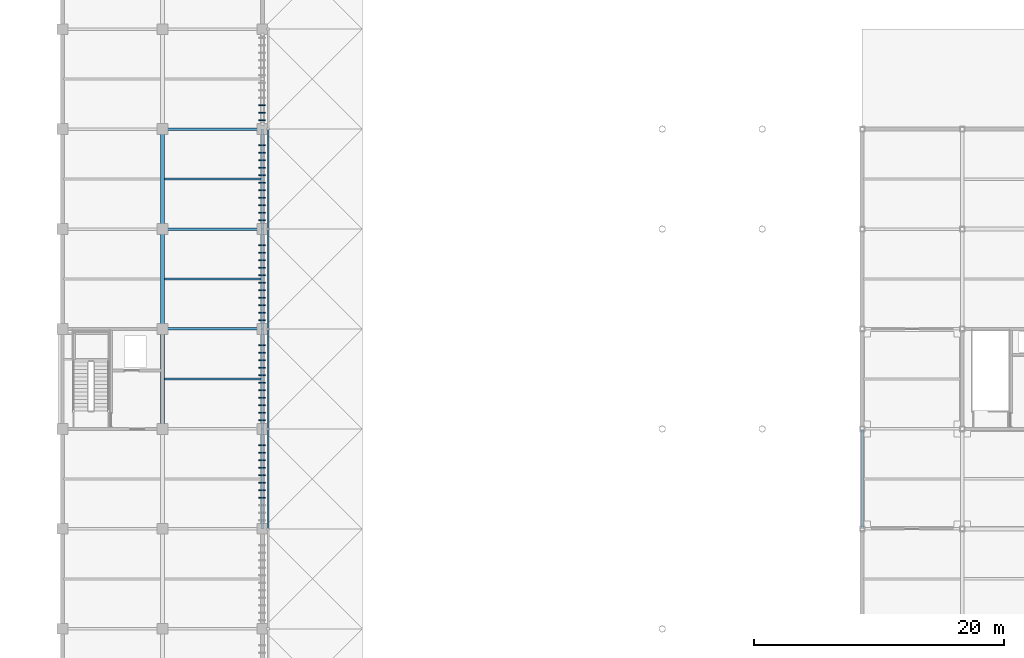
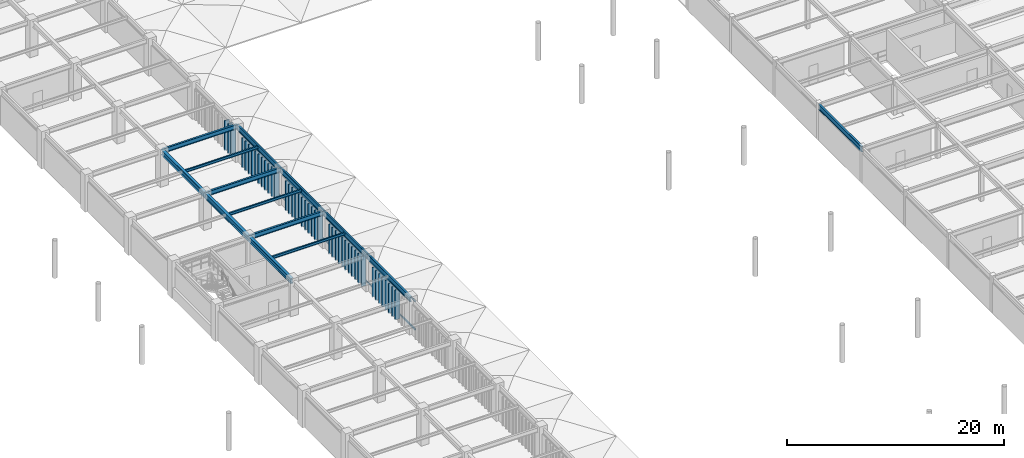
# One storey, part 34 of 78: 52 members, 14 beams.
"""IFC4 building model written with IfcOpenShell, lengths in metres."""

from ifc_helpers import new_model, si_unit, direction, frame, origin, origin_2d, place, context, subcontext, project, spatial, rectangle, hollow_rectangle, i_section, extrude, material, material_profile, profile_set, type_object, element, save


model = new_model("IFC4")

# Units and contexts
model_context = context("Model", 3, precision=1e-05, world=origin(), true_north=direction((0.0, 1.0)))
body_context = subcontext(model_context, "Body", "Model", "MODEL_VIEW")
ifc_project = project(units=[si_unit("LENGTHUNIT", "METRE"), si_unit("AREAUNIT", "SQUARE_METRE"), si_unit("VOLUMEUNIT", "CUBIC_METRE"), si_unit("PLANEANGLEUNIT", "RADIAN"), si_unit("MASSUNIT", "GRAM", prefix="KILO")], contexts=[model_context])

# Site, building, storey
site_placement = place(None, origin())
site = spatial("IfcSite", under=ifc_project, at=site_placement, CompositionType="ELEMENT")
building_placement = place(site_placement, origin())
building = spatial("IfcBuilding", under=site, at=building_placement, Name="Haebicheon Civic Stadium", CompositionType="ELEMENT")
storey_placement = place(building_placement, frame((0.0, 0.0, 18.60009765625)))
storey = spatial("IfcBuildingStorey", under=building, at=storey_placement, Name="L05", CompositionType="ELEMENT", Elevation=18.60009765625)

# Beams
ifc_material_1 = material(Name="Steel SM355 (S355)", Category="steel")
ifc_material_profile_1 = material_profile(ifc_material_1, i_section(OverallWidth=0.199951171875, OverallDepth=0.5, WebThickness=0.010009765625, FlangeThickness=0.01611328125, at=origin_2d()), Name="H-500x200x10x16")
ifc_profile_set_1 = profile_set([ifc_material_profile_1], Name="Steel SM355 (S355)")
beam_type_1 = type_object("IfcBeamType", Name="BM-ST-H500", PredefinedType="BEAM", material=ifc_profile_set_1)
for number, where, z_axis, x_axis, name in (
    (1, (152.0, 112.0, 3.699951171875), (1.0, 0.0, 0.0), (0.0, 1.0, 0.0), "L05 beam Q/20-21"),
    (2, (152.0, 120.0, 3.699951171875), (1.0, 0.0, 0.0), (0.0, 1.0, 0.0), "L05 beam R/20-21"),
    (3, (152.0, 128.0, 3.699951171875), (1.0, 0.0, 0.0), (0.0, 1.0, 0.0), "L05 beam S/20-21"),
):
    element("IfcBeam", number, at=place(storey_placement, frame(where, z_axis=z_axis, x_axis=x_axis)), inside=storey, type_object=beam_type_1, material=ifc_profile_set_1, Name=name, PredefinedType="BEAM", context=body_context, shape_type="SweptSolid", body=[
        extrude(i_section(OverallWidth=0.199951171875, OverallDepth=0.5, WebThickness=0.010009765625, FlangeThickness=0.01611328125, at=origin_2d()), origin(), (0.0, 0.0, 1.0), 8.0),
    ])
ifc_material_2 = material(Name="Steel SM355 (S355)", Category="steel")
ifc_material_profile_2 = material_profile(ifc_material_2, i_section(OverallWidth=0.300048828125, OverallDepth=0.60009765625, WebThickness=0.011962890625, FlangeThickness=0.02001953125, at=origin_2d()), Name="H-600x300x12x20")
ifc_profile_set_2 = profile_set([ifc_material_profile_2], Name="Steel SM355 (S355)")
beam_type_2 = type_object("IfcBeamType", Name="BM-ST-H600A", PredefinedType="BEAM", material=ifc_profile_set_2)
for number, where, z_axis, x_axis, name in (
    (4, (152.0, 104.0, 3.64990234375), (0.0, 1.0, 0.0), (-1.0, 0.0, 0.0), "L05 girder 20/P-Q"),
    (5, (152.0, 112.0, 3.64990234375), (0.0, 1.0, 0.0), (-1.0, 0.0, 0.0), "L05 girder 20/Q-R"),
    (6, (152.0, 120.0, 3.64990234375), (0.0, 1.0, 0.0), (-1.0, 0.0, 0.0), "L05 girder 20/R-S"),
):
    element("IfcBeam", number, at=place(storey_placement, frame(where, z_axis=z_axis, x_axis=x_axis)), inside=storey, type_object=beam_type_2, material=ifc_profile_set_2, Name=name, PredefinedType="BEAM", context=body_context, shape_type="SweptSolid", body=[
        extrude(i_section(OverallWidth=0.300048828125, OverallDepth=0.60009765625, WebThickness=0.011962890625, FlangeThickness=0.02001953125, at=origin_2d()), origin(), (0.0, 0.0, 1.0), 8.0),
    ])
ifc_material_3 = material(Name="Steel SM355 (S355)", Category="steel")
ifc_material_profile_3 = material_profile(ifc_material_3, i_section(OverallWidth=0.14990234375, OverallDepth=0.300048828125, WebThickness=0.006591796875, FlangeThickness=0.009033203125, at=origin_2d()), Name="H-300x150x6.5x9")
ifc_profile_set_3 = profile_set([ifc_material_profile_3], Name="Steel SM355 (S355)")
beam_type_3 = type_object("IfcBeamType", Name="JST-ST-H300", PredefinedType="JOIST", material=ifc_profile_set_3)
for number, where, z_axis, x_axis, name in (
    (7, (152.14990234375, 108.0, 3.7998046875), (1.0, 0.0, 0.0), (0.0, 1.0, 0.0), "L05 secondary joist 19-13"),
    (8, (152.14990234375, 116.0, 3.7998046875), (1.0, 0.0, 0.0), (0.0, 1.0, 0.0), "L05 secondary joist 19-14"),
    (9, (152.14990234375, 124.0, 3.7998046875), (1.0, 0.0, 0.0), (0.0, 1.0, 0.0), "L05 secondary joist 19-15"),
):
    element("IfcBeam", number, at=place(storey_placement, frame(where, z_axis=z_axis, x_axis=x_axis)), inside=storey, type_object=beam_type_3, material=ifc_profile_set_3, Name=name, PredefinedType="JOIST", context=body_context, shape_type="SweptSolid", body=[
        extrude(i_section(OverallWidth=0.14990234375, OverallDepth=0.300048828125, WebThickness=0.006591796875, FlangeThickness=0.009033203125, at=origin_2d()), origin(), (0.0, 0.0, 1.0), 7.75),
    ])

# Members
ifc_material_4 = material(Name="Acetylated timber GL28h", Category="wood")
ifc_material_profile_4 = material_profile(ifc_material_4, rectangle(XDim=0.080078125, YDim=0.52001953125, at=origin_2d()), Name="TMB-LOUV-80x520")
ifc_profile_set_4 = profile_set([ifc_material_profile_4], Name="Acetylated timber GL28h")
member_type_1 = type_object("IfcMemberType", Name="LVR-TIM-520x80", PredefinedType="PLATE", material=ifc_profile_set_4)
for number, where, z_axis, x_axis, name in (
    (10, (159.97998046875, 98.5, -0.1201171875), (0.0, 0.0, 1.0), (0.0, 1.0, 0.0), "SCR-EAST L05 acetylated timber storm louvre fin 7.4"),
    (11, (159.97998046875, 99.10009765625, -0.1201171875), (0.0, 0.0, 1.0), (0.0, 1.0, 0.0), "SCR-EAST L05 acetylated timber storm louvre fin 7.5"),
    (12, (159.97998046875, 99.699951171875, -0.1201171875), (0.0, 0.0, 1.0), (0.0, 1.0, 0.0), "SCR-EAST L05 acetylated timber storm louvre fin 7.6"),
    (13, (159.97998046875, 100.300048828125, -0.1201171875), (0.0, 0.0, 1.0), (0.0, 1.0, 0.0), "SCR-EAST L05 acetylated timber storm louvre fin 7.7"),
    (14, (159.97998046875, 100.89990234375, -0.1201171875), (0.0, 0.0, 1.0), (0.0, 1.0, 0.0), "SCR-EAST L05 acetylated timber storm louvre fin 7.8"),
    (15, (159.97998046875, 101.5, -0.1201171875), (0.0, 0.0, 1.0), (0.0, 1.0, 0.0), "SCR-EAST L05 acetylated timber storm louvre fin 7.9"),
    (16, (159.97998046875, 102.10009765625, -0.1201171875), (0.0, 0.0, 1.0), (0.0, 1.0, 0.0), "SCR-EAST L05 acetylated timber storm louvre fin 7.10"),
    (17, (159.97998046875, 102.699951171875, -0.1201171875), (0.0, 0.0, 1.0), (0.0, 1.0, 0.0), "SCR-EAST L05 acetylated timber storm louvre fin 7.11"),
    (18, (159.97998046875, 104.699951171875, -0.1201171875), (0.0, 0.0, 1.0), (0.0, 1.0, 0.0), "SCR-EAST L05 acetylated timber storm louvre fin 8.1"),
    (19, (159.97998046875, 105.300048828125, -0.1201171875), (0.0, 0.0, 1.0), (0.0, 1.0, 0.0), "SCR-EAST L05 acetylated timber storm louvre fin 8.2"),
    (20, (159.97998046875, 105.89990234375, -0.1201171875), (0.0, 0.0, 1.0), (0.0, 1.0, 0.0), "SCR-EAST L05 acetylated timber storm louvre fin 8.3"),
    (21, (159.97998046875, 106.5, -0.1201171875), (0.0, 0.0, 1.0), (0.0, 1.0, 0.0), "SCR-EAST L05 acetylated timber storm louvre fin 8.4"),
    (22, (159.97998046875, 107.10009765625, -0.1201171875), (0.0, 0.0, 1.0), (0.0, 1.0, 0.0), "SCR-EAST L05 acetylated timber storm louvre fin 8.5"),
    (23, (159.97998046875, 107.699951171875, -0.1201171875), (0.0, 0.0, 1.0), (0.0, 1.0, 0.0), "SCR-EAST L05 acetylated timber storm louvre fin 8.6"),
    (24, (159.97998046875, 108.300048828125, -0.1201171875), (0.0, 0.0, 1.0), (0.0, 1.0, 0.0), "SCR-EAST L05 acetylated timber storm louvre fin 8.7"),
    (25, (159.97998046875, 108.89990234375, -0.1201171875), (0.0, 0.0, 1.0), (0.0, 1.0, 0.0), "SCR-EAST L05 acetylated timber storm louvre fin 8.8"),
    (26, (159.97998046875, 109.5, -0.1201171875), (0.0, 0.0, 1.0), (0.0, 1.0, 0.0), "SCR-EAST L05 acetylated timber storm louvre fin 8.9"),
    (27, (159.97998046875, 110.10009765625, -0.1201171875), (0.0, 0.0, 1.0), (0.0, 1.0, 0.0), "SCR-EAST L05 acetylated timber storm louvre fin 8.10"),
    (28, (159.97998046875, 110.699951171875, -0.1201171875), (0.0, 0.0, 1.0), (0.0, 1.0, 0.0), "SCR-EAST L05 acetylated timber storm louvre fin 8.11"),
    (29, (159.97998046875, 112.699951171875, -0.1201171875), (0.0, 0.0, 1.0), (0.0, 1.0, 0.0), "SCR-EAST L05 acetylated timber storm louvre fin 9.1"),
    (30, (159.97998046875, 113.300048828125, -0.1201171875), (0.0, 0.0, 1.0), (0.0, 1.0, 0.0), "SCR-EAST L05 acetylated timber storm louvre fin 9.2"),
    (31, (159.97998046875, 113.89990234375, -0.1201171875), (0.0, 0.0, 1.0), (0.0, 1.0, 0.0), "SCR-EAST L05 acetylated timber storm louvre fin 9.3"),
    (32, (159.97998046875, 114.5, -0.1201171875), (0.0, 0.0, 1.0), (0.0, 1.0, 0.0), "SCR-EAST L05 acetylated timber storm louvre fin 9.4"),
    (33, (159.97998046875, 115.10009765625, -0.1201171875), (0.0, 0.0, 1.0), (0.0, 1.0, 0.0), "SCR-EAST L05 acetylated timber storm louvre fin 9.5"),
    (34, (159.97998046875, 115.699951171875, -0.1201171875), (0.0, 0.0, 1.0), (0.0, 1.0, 0.0), "SCR-EAST L05 acetylated timber storm louvre fin 9.6"),
    (35, (159.97998046875, 116.300048828125, -0.1201171875), (0.0, 0.0, 1.0), (0.0, 1.0, 0.0), "SCR-EAST L05 acetylated timber storm louvre fin 9.7"),
    (36, (159.97998046875, 116.89990234375, -0.1201171875), (0.0, 0.0, 1.0), (0.0, 1.0, 0.0), "SCR-EAST L05 acetylated timber storm louvre fin 9.8"),
    (37, (159.97998046875, 117.5, -0.1201171875), (0.0, 0.0, 1.0), (0.0, 1.0, 0.0), "SCR-EAST L05 acetylated timber storm louvre fin 9.9"),
    (38, (159.97998046875, 118.10009765625, -0.1201171875), (0.0, 0.0, 1.0), (0.0, 1.0, 0.0), "SCR-EAST L05 acetylated timber storm louvre fin 9.10"),
    (39, (159.97998046875, 118.699951171875, -0.1201171875), (0.0, 0.0, 1.0), (0.0, 1.0, 0.0), "SCR-EAST L05 acetylated timber storm louvre fin 9.11"),
    (40, (159.97998046875, 120.699951171875, -0.1201171875), (0.0, 0.0, 1.0), (0.0, 1.0, 0.0), "SCR-EAST L05 acetylated timber storm louvre fin 10.1"),
    (41, (159.97998046875, 121.300048828125, -0.1201171875), (0.0, 0.0, 1.0), (0.0, 1.0, 0.0), "SCR-EAST L05 acetylated timber storm louvre fin 10.2"),
    (42, (159.97998046875, 121.89990234375, -0.1201171875), (0.0, 0.0, 1.0), (0.0, 1.0, 0.0), "SCR-EAST L05 acetylated timber storm louvre fin 10.3"),
    (43, (159.97998046875, 122.5, -0.1201171875), (0.0, 0.0, 1.0), (0.0, 1.0, 0.0), "SCR-EAST L05 acetylated timber storm louvre fin 10.4"),
    (44, (159.97998046875, 123.10009765625, -0.1201171875), (0.0, 0.0, 1.0), (0.0, 1.0, 0.0), "SCR-EAST L05 acetylated timber storm louvre fin 10.5"),
    (45, (159.97998046875, 123.699951171875, -0.1201171875), (0.0, 0.0, 1.0), (0.0, 1.0, 0.0), "SCR-EAST L05 acetylated timber storm louvre fin 10.6"),
    (46, (159.97998046875, 124.300048828125, -0.1201171875), (0.0, 0.0, 1.0), (0.0, 1.0, 0.0), "SCR-EAST L05 acetylated timber storm louvre fin 10.7"),
    (47, (159.97998046875, 124.89990234375, -0.1201171875), (0.0, 0.0, 1.0), (0.0, 1.0, 0.0), "SCR-EAST L05 acetylated timber storm louvre fin 10.8"),
    (48, (159.97998046875, 125.5, -0.1201171875), (0.0, 0.0, 1.0), (0.0, 1.0, 0.0), "SCR-EAST L05 acetylated timber storm louvre fin 10.9"),
    (49, (159.97998046875, 126.10009765625, -0.1201171875), (0.0, 0.0, 1.0), (0.0, 1.0, 0.0), "SCR-EAST L05 acetylated timber storm louvre fin 10.10"),
    (50, (159.97998046875, 126.699951171875, -0.1201171875), (0.0, 0.0, 1.0), (0.0, 1.0, 0.0), "SCR-EAST L05 acetylated timber storm louvre fin 10.11"),
    (51, (159.97998046875, 128.699951171875, -0.1201171875), (0.0, 0.0, 1.0), (0.0, 1.0, 0.0), "SCR-EAST L05 acetylated timber storm louvre fin 11.1"),
    (52, (159.97998046875, 129.300048828125, -0.1201171875), (0.0, 0.0, 1.0), (0.0, 1.0, 0.0), "SCR-EAST L05 acetylated timber storm louvre fin 11.2"),
    (53, (159.97998046875, 129.89990234375, -0.1201171875), (0.0, 0.0, 1.0), (0.0, 1.0, 0.0), "SCR-EAST L05 acetylated timber storm louvre fin 11.3"),
):
    element("IfcMember", number, at=place(storey_placement, frame(where, z_axis=z_axis, x_axis=x_axis)), inside=storey, type_object=member_type_1, material=ifc_profile_set_4, Name=name, PredefinedType="PLATE", context=body_context, shape_type="SweptSolid", body=[
        extrude(rectangle(XDim=0.080078125, YDim=0.52001953125, at=origin_2d()), origin(), (0.0, 0.0, 1.0), 3.3701171875),
    ])

# Beams
ifc_material_5 = material(Name="Steel SM355 (S355)", Category="steel")
ifc_material_profile_5 = material_profile(ifc_material_5, i_section(OverallWidth=0.199951171875, OverallDepth=0.60009765625, WebThickness=0.010986328125, FlangeThickness=0.01708984375, at=origin_2d()), Name="H-600x200x11x17")
ifc_profile_set_5 = profile_set([ifc_material_profile_5], Name="Steel SM355 (S355)")
beam_type_4 = type_object("IfcBeamType", Name="SPD-ST-H600B", PredefinedType="SPANDREL", material=ifc_profile_set_5)
for number, where, z_axis, x_axis, name in (
    (54, (160.0, 96.0, 3.64990234375), (0.0, 1.0, 0.0), (-1.0, 0.0, 0.0), "L05 girder 21/N-P"),
    (55, (160.0, 104.0, 3.64990234375), (0.0, 1.0, 0.0), (-1.0, 0.0, 0.0), "L05 girder 21/P-Q"),
    (56, (160.0, 112.0, 3.64990234375), (0.0, 1.0, 0.0), (-1.0, 0.0, 0.0), "L05 girder 21/Q-R"),
    (57, (160.0, 120.0, 3.64990234375), (0.0, 1.0, 0.0), (-1.0, 0.0, 0.0), "L05 girder 21/R-S"),
    (58, (208.0, 96.0, 3.679931640625), (0.0, 1.0, 0.0), (-1.0, 0.0, 0.0), "L05 girder 27/N-P"),
):
    element("IfcBeam", number, at=place(storey_placement, frame(where, z_axis=z_axis, x_axis=x_axis)), inside=storey, type_object=beam_type_4, material=ifc_profile_set_5, Name=name, PredefinedType="SPANDREL", context=body_context, shape_type="SweptSolid", body=[
        extrude(i_section(OverallWidth=0.199951171875, OverallDepth=0.60009765625, WebThickness=0.010986328125, FlangeThickness=0.01708984375, at=origin_2d()), origin(), (0.0, 0.0, 1.0), 8.0),
    ])

# Members
ifc_material_6 = material(Name="Steel SM355 (S355)", Category="steel")
ifc_material_profile_6 = material_profile(ifc_material_6, hollow_rectangle(XDim=0.10009765625, YDim=0.14990234375, WallThickness=0.006103515625, at=origin_2d()), Name="RHS-150x100x6.0")
ifc_profile_set_6 = profile_set([ifc_material_profile_6], Name="Steel SM355 (S355)")
member_type_2 = type_object("IfcMemberType", Name="SUB-RHS150", PredefinedType="STRINGER", material=ifc_profile_set_6)
for number, where, z_axis, x_axis, name in (
    (59, (160.465087890625, 96.0, 0.059814453125), (0.0, 1.0, 0.0), (-1.0, 0.0, 0.0), "SCR-EAST L05 storm-louvre bottom carrier rail 7"),
    (60, (160.465087890625, 96.0, 3.25), (0.0, 1.0, 0.0), (-1.0, 0.0, 0.0), "SCR-EAST L05 storm-louvre top carrier rail 7"),
    (61, (160.465087890625, 104.0, 0.059814453125), (0.0, 1.0, 0.0), (-1.0, 0.0, 0.0), "SCR-EAST L05 storm-louvre bottom carrier rail 8"),
    (62, (160.465087890625, 104.0, 3.25), (0.0, 1.0, 0.0), (-1.0, 0.0, 0.0), "SCR-EAST L05 storm-louvre top carrier rail 8"),
    (63, (160.465087890625, 112.0, 0.059814453125), (0.0, 1.0, 0.0), (-1.0, 0.0, 0.0), "SCR-EAST L05 storm-louvre bottom carrier rail 9"),
    (64, (160.465087890625, 112.0, 3.25), (0.0, 1.0, 0.0), (-1.0, 0.0, 0.0), "SCR-EAST L05 storm-louvre top carrier rail 9"),
    (65, (160.465087890625, 120.0, 0.059814453125), (0.0, 1.0, 0.0), (-1.0, 0.0, 0.0), "SCR-EAST L05 storm-louvre bottom carrier rail 10"),
    (66, (160.465087890625, 120.0, 3.25), (0.0, 1.0, 0.0), (-1.0, 0.0, 0.0), "SCR-EAST L05 storm-louvre top carrier rail 10"),
):
    element("IfcMember", number, at=place(storey_placement, frame(where, z_axis=z_axis, x_axis=x_axis)), inside=storey, type_object=member_type_2, material=ifc_profile_set_6, Name=name, PredefinedType="STRINGER", context=body_context, shape_type="SweptSolid", body=[
        extrude(hollow_rectangle(XDim=0.10009765625, YDim=0.14990234375, WallThickness=0.006103515625, at=origin_2d()), origin(), (0.0, 0.0, 1.0), 8.0),
    ])

save(model, "model.ifc")
